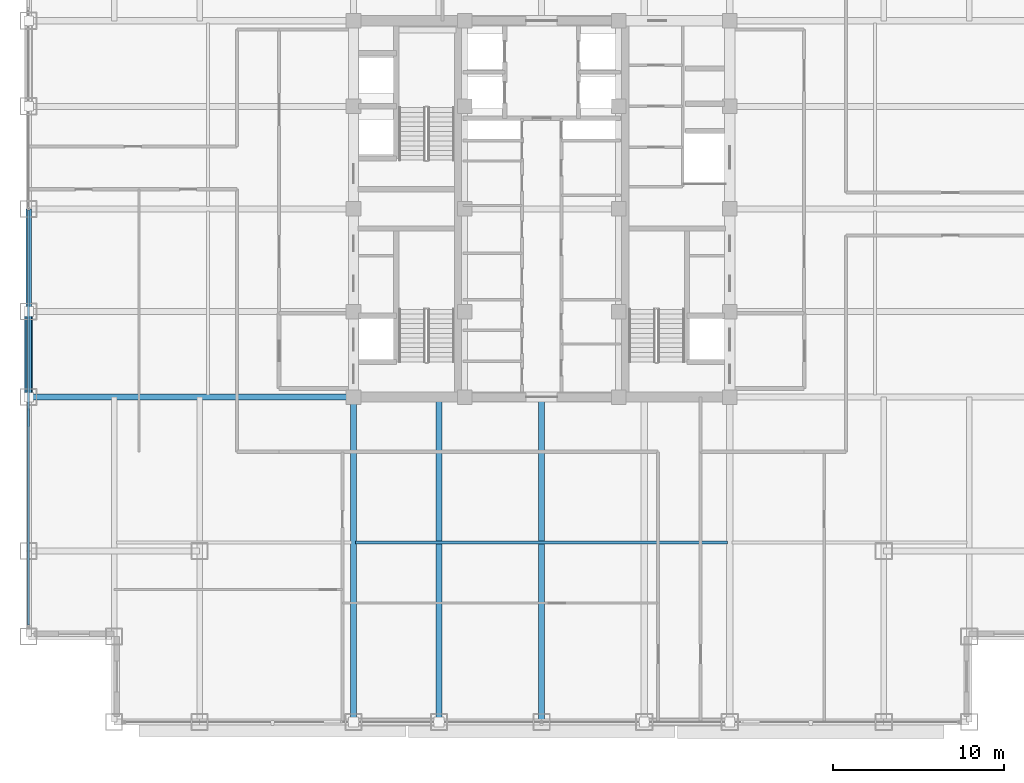
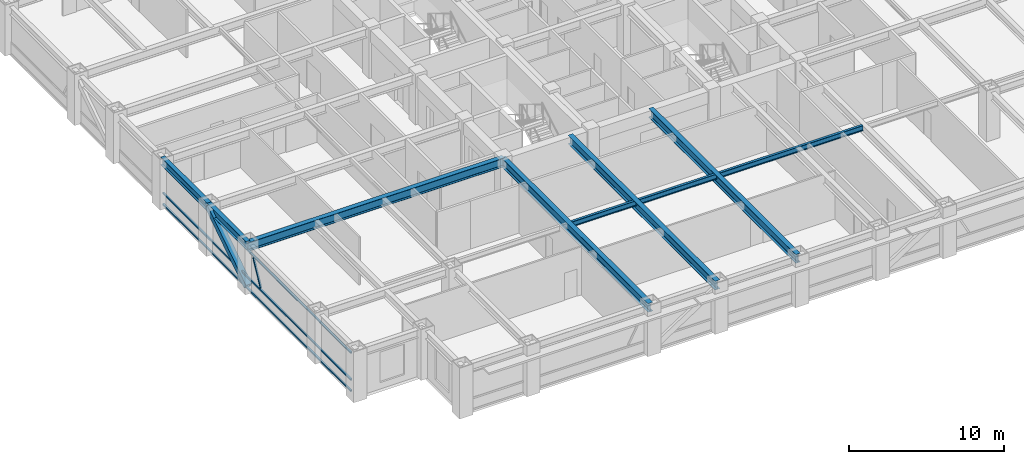
# One storey, part 5 of 29: 7 beams, 5 members, 1 element without a shape of its own.
"""IFC4 building model written with IfcOpenShell, lengths in metres."""

from ifc_helpers import new_model, si_unit, direction, frame, origin, origin_2d, place, context, subcontext, project, spatial, hollow_rectangle, i_section, extrude, source, transform, mapped, material, material_profile, profile_set, type_object, element, aggregate, save


model = new_model("IFC4")

# Units and contexts
model_context = context("Model", 3, precision=1e-05, world=origin(), true_north=direction((0.0, 1.0)))
body_context = subcontext(model_context, "Body", "Model", "MODEL_VIEW")
ifc_project = project(units=[si_unit("LENGTHUNIT", "METRE"), si_unit("AREAUNIT", "SQUARE_METRE"), si_unit("VOLUMEUNIT", "CUBIC_METRE"), si_unit("PLANEANGLEUNIT", "RADIAN"), si_unit("MASSUNIT", "GRAM", prefix="KILO")], contexts=[model_context])

# Site, building, storey
site_placement = place(None, origin())
site = spatial("IfcSite", under=ifc_project, at=site_placement, CompositionType="ELEMENT")
building_placement = place(site_placement, origin())
building = spatial("IfcBuilding", under=site, at=building_placement, Name="Khorayat Bourse Tower", CompositionType="ELEMENT")
storey_placement = place(building_placement, frame((0.0, 0.0, 239.10009765625)))
storey = spatial("IfcBuildingStorey", under=building, at=storey_placement, Name="L56", CompositionType="ELEMENT", Elevation=239.10009765625)

# Beams
ifc_material_1 = material(Name="Steel ASTM A992 Grade 50", Category="steel")
ifc_material_profile_1 = material_profile(ifc_material_1, i_section(OverallWidth=0.180908203125, OverallDepth=0.4169921875, WebThickness=0.010986328125, FlangeThickness=0.018310546875, FilletRadius=0.011962890625, at=origin_2d()), Name="W410X85")
ifc_profile_set_1 = profile_set([ifc_material_profile_1], Name="Steel ASTM A992 Grade 50")
beam_type_1 = type_object("IfcBeamType", Name="BM-JOIST-410", PredefinedType="JOIST", material=ifc_profile_set_1)
shared_shape_1 = source(origin(), body_context, "Body", "SweptSolid", [
    extrude(i_section(OverallWidth=0.180908203125, OverallDepth=0.4169921875, WebThickness=0.010986328125, FlangeThickness=0.018310546875, FilletRadius=0.011962890625, at=origin_2d()), origin(), (0.0, 0.0, 1.0), 21.740234375),
])
beam_1_placement = place(storey_placement, frame((-10.8701171875, -19.5, 3.5712890625), z_axis=(1.0, 0.0, 0.0), x_axis=(0.0, 1.0, 0.0)))
element("IfcBeam", 1, at=beam_1_placement, inside=storey, type_object=beam_type_1, Name="L56 BM-JOIST-410 BM-L56-JSTX-097", PredefinedType="JOIST", context=body_context, shape_type="MappedRepresentation", body=[
    mapped(shared_shape_1, transform((0.0, 0.0, 0.0), scale=1.0)),
])
ifc_material_profile_2 = material_profile(ifc_material_1, i_section(OverallWidth=0.324951171875, OverallDepth=0.615966796875, WebThickness=0.013916015625, FlangeThickness=0.021484375, FilletRadius=0.01611328125, at=origin_2d()), Name="W610X174")
ifc_profile_set_2 = profile_set([ifc_material_profile_2], Name="Steel ASTM A992 Grade 50")
beam_type_2 = type_object("IfcBeamType", Name="BM-SPAN-610", PredefinedType="SPANDREL", material=ifc_profile_set_2)
shared_shape_2 = source(origin(), body_context, "Body", "SweptSolid", [
    extrude(i_section(OverallWidth=0.324951171875, OverallDepth=0.615966796875, WebThickness=0.013916015625, FlangeThickness=0.021484375, FilletRadius=0.01611328125, at=origin_2d()), origin(), (0.0, 0.0, 1.0), 5.0),
])
beam_2_placement = place(storey_placement, frame((-30.0, -11.0, 3.471923828125), z_axis=(0.0, 1.0, 0.0), x_axis=(-1.0, 0.0, 0.0)))
element("IfcBeam", 2, at=beam_2_placement, inside=storey, type_object=beam_type_2, Name="L56 BM-SPAN-610 BM-L56-SPN-059", PredefinedType="SPANDREL", context=body_context, shape_type="MappedRepresentation", body=[
    mapped(shared_shape_2, transform((0.0, 0.0, 0.0), scale=1.0)),
])
shared_shape_3 = source(origin(), body_context, "Body", "SweptSolid", [
    extrude(i_section(OverallWidth=0.324951171875, OverallDepth=0.615966796875, WebThickness=0.013916015625, FlangeThickness=0.021484375, FilletRadius=0.01611328125, at=origin_2d()), origin(), (0.0, 0.0, 1.0), 6.0),
])
beam_3_placement = place(storey_placement, frame((-30.0, -6.0, 3.471923828125), z_axis=(0.0, 1.0, 0.0), x_axis=(-1.0, 0.0, 0.0)))
element("IfcBeam", 3, at=beam_3_placement, inside=storey, type_object=beam_type_2, Name="L56 BM-SPAN-610 BM-L56-SPN-058", PredefinedType="SPANDREL", context=body_context, shape_type="MappedRepresentation", body=[
    mapped(shared_shape_3, transform((0.0, 0.0, 0.0), scale=1.0)),
])
ifc_material_profile_3 = material_profile(ifc_material_1, i_section(OverallWidth=0.35498046875, OverallDepth=0.695068359375, WebThickness=0.015380859375, FlangeThickness=0.02490234375, FilletRadius=0.01806640625, at=origin_2d()), Name="W690X217")
ifc_profile_set_3 = profile_set([ifc_material_profile_3], Name="Steel ASTM A992 Grade 50")
beam_type_3 = type_object("IfcBeamType", Name="BM-GIRD-690", PredefinedType="BEAM", material=ifc_profile_set_3)
shared_shape_4 = source(origin(), body_context, "Body", "SweptSolid", [
    extrude(i_section(OverallWidth=0.35498046875, OverallDepth=0.695068359375, WebThickness=0.015380859375, FlangeThickness=0.02490234375, FilletRadius=0.01806640625, at=origin_2d()), origin(), (0.0, 0.0, 1.0), 19.0),
])
for number, where, z_axis, x_axis, name in (
    (4, (-11.0, -30.0, 3.432373046875), (0.0, 1.0, 0.0), (-1.0, 0.0, 0.0), "L56 BM-GIRD-690 BM-L56-RADY-065"),
    (5, (-6.0, -30.0, 3.432373046875), (0.0, 1.0, 0.0), (-1.0, 0.0, 0.0), "L56 BM-GIRD-690 BM-L56-RADY-067"),
    (6, (0.0, -30.0, 3.432373046875), (0.0, 1.0, 0.0), (-1.0, 0.0, 0.0), "L56 BM-GIRD-690 BM-L56-RADY-069"),
    (7, (-30.0, -11.0, 3.432373046875), (1.0, 0.0, 0.0), (0.0, 1.0, 0.0), "L56 BM-GIRD-690 BM-L56-RADX-075"),
):
    element("IfcBeam", number, at=place(storey_placement, frame(where, z_axis=z_axis, x_axis=x_axis)), inside=storey, type_object=beam_type_3, Name=name, PredefinedType="BEAM", context=body_context, shape_type="MappedRepresentation", body=[
        mapped(shared_shape_4, transform((0.0, 0.0, 0.0), scale=1.0)),
    ])

# Member
ifc_material_2 = material(Name="Steel EN 10025-4 S460M", Category="steel")
ifc_material_profile_4 = material_profile(ifc_material_2, hollow_rectangle(XDim=0.449951171875, YDim=0.449951171875, WallThickness=0.02490234375, at=origin_2d()), Name="HSS 450x450x25")
ifc_profile_set_4 = profile_set([ifc_material_profile_4], Name="Steel EN 10025-4 S460M")
member_type_1 = type_object("IfcMemberType", Name="MBR-TUBE-450", PredefinedType="BRACE", material=ifc_profile_set_4)
shared_shape_5 = source(origin(), body_context, "Body", "SweptSolid", [
    extrude(hollow_rectangle(XDim=0.449951171875, YDim=0.449951171875, WallThickness=0.02490234375, at=origin_2d()), origin(), (0.0, 0.0, 1.0), 5.979736328125),
])
member_1_placement = place(storey_placement, frame((-30.0, -11.0, 0.25), z_axis=(0.0, 0.836160261256, 0.548485202623), x_axis=(-1.0, 0.0, 0.0)))
element("IfcMember", 8, at=member_1_placement, inside=storey, type_object=member_type_1, Name="L56 Perimeter Tube Brace 05", PredefinedType="BRACE", context=body_context, shape_type="MappedRepresentation", body=[
    mapped(shared_shape_5, transform((0.0, 0.0, 0.0), scale=1.0)),
])

# Curtain wall, members
ifc_material_3 = material(Name="Aluminium EN AW-6063 T6", Category="aluminium")
curtain_wall_type = type_object("IfcCurtainWallType", Name="CW-SYS-03", PredefinedType="NOTDEFINED", material=ifc_material_3)
curtain_wall_placement = place(storey_placement, origin())
curtain_wall = element("IfcCurtainWall", 9, at=curtain_wall_placement, inside=storey, type_object=curtain_wall_type, Name="L56 Curtain Wall CW-L56-W1", PredefinedType="NOTDEFINED")
ifc_material_profile_5 = material_profile(ifc_material_3, hollow_rectangle(XDim=0.1201171875, YDim=0.1201171875, WallThickness=0.0048828125, at=origin_2d()), Name="ALU 120x120x5")
ifc_profile_set_5 = profile_set([ifc_material_profile_5], Name="Aluminium EN AW-6063 T6")
member_type_2 = type_object("IfcMemberType", Name="CWM-DIAG-120", PredefinedType="MULLION", material=ifc_profile_set_5)
shared_shape_6 = source(origin(), body_context, "Body", "SweptSolid", [
    extrude(hollow_rectangle(XDim=0.1201171875, YDim=0.1201171875, WallThickness=0.0048828125, at=origin_2d()), origin(), (0.0, 0.0, 1.0), 2.079345703125),
])
member_2_placement = place(storey_placement, frame((-30.0, -12.67919921875, 1.08984375), z_axis=(0.0, 0.465760949701, 0.884910581773), x_axis=(-1.0, 0.0, 0.0)))
member_2 = element("IfcMember", 10, at=member_2_placement, type_object=member_type_2, Name="CW-L56-W1 Faceted Diagonal Mullion 1", PredefinedType="MULLION", context=body_context, shape_type="MappedRepresentation", body=[
    mapped(shared_shape_6, transform((0.0, 0.0, 0.0), scale=1.0)),
])
ifc_material_profile_6 = material_profile(ifc_material_3, hollow_rectangle(XDim=0.1201171875, YDim=0.1201171875, WallThickness=0.0048828125, at=origin_2d()), Name="ALU 120x120x5")
ifc_profile_set_6 = profile_set([ifc_material_profile_6], Name="Aluminium EN AW-6063 T6")
member_type_3 = type_object("IfcMemberType", Name="CWT-HORZ-120", PredefinedType="USERDEFINED", material=ifc_profile_set_6)
shared_shape_7 = source(origin(), body_context, "Body", "SweptSolid", [
    extrude(hollow_rectangle(XDim=0.1201171875, YDim=0.1201171875, WallThickness=0.0048828125, at=origin_2d()), origin(), (0.0, 0.0, 1.0), 24.27001953125),
])
member_3_placement = place(storey_placement, frame((-30.0, -24.330078125, 0.059814453125), z_axis=(0.0, 1.0, 0.0), x_axis=(-1.0, 0.0, 0.0)))
member_3 = element("IfcMember", 11, at=member_3_placement, type_object=member_type_3, Name="CW-L56-W1 Horizontal Transom 1-1", ObjectType="TRANSOM", PredefinedType="USERDEFINED", context=body_context, shape_type="MappedRepresentation", body=[
    mapped(shared_shape_7, transform((0.0, 0.0, 0.0), scale=1.0)),
])
member_4_placement = place(storey_placement, frame((-30.0, -24.330078125, 0.949951171875), z_axis=(0.0, 1.0, 0.0), x_axis=(-1.0, 0.0, 0.0)))
member_4 = element("IfcMember", 12, at=member_4_placement, type_object=member_type_3, Name="CW-L56-W1 Horizontal Transom 1-2", ObjectType="TRANSOM", PredefinedType="USERDEFINED", context=body_context, shape_type="MappedRepresentation", body=[
    mapped(shared_shape_7, transform((0.0, 0.0, 0.0), scale=1.0)),
])
member_5_placement = place(storey_placement, frame((-30.0, -24.330078125, 3.06982421875), z_axis=(0.0, 1.0, 0.0), x_axis=(-1.0, 0.0, 0.0)))
member_5 = element("IfcMember", 13, at=member_5_placement, type_object=member_type_3, Name="CW-L56-W1 Horizontal Transom 1-3", ObjectType="TRANSOM", PredefinedType="USERDEFINED", context=body_context, shape_type="MappedRepresentation", body=[
    mapped(shared_shape_7, transform((0.0, 0.0, 0.0), scale=1.0)),
])
aggregate(curtain_wall, [member_3, member_4, member_5, member_2])

save(model, "model.ifc")
